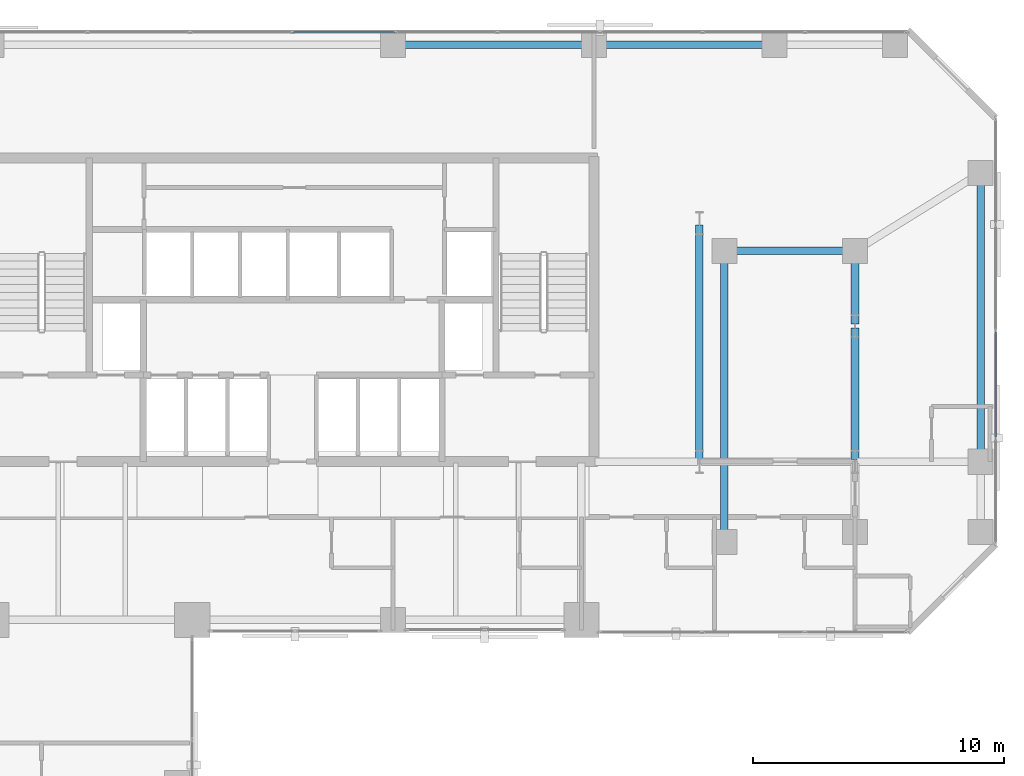
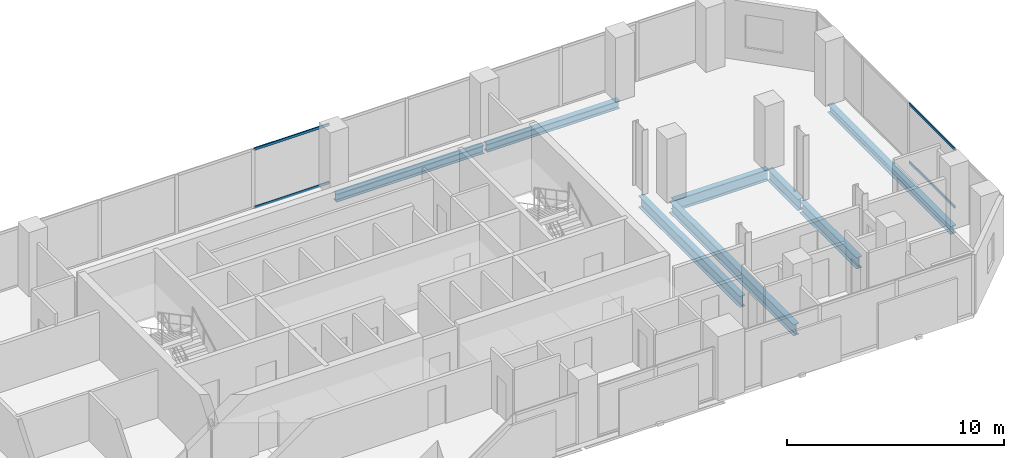
# One storey, part 22 of 32: 8 beams, 4 members, 2 elements without a shape of their own.
"""IFC4 building model written with IfcOpenShell, lengths in metres."""

from ifc_helpers import new_model, si_unit, direction, frame, origin, origin_2d, place, context, subcontext, project, spatial, hollow_rectangle, i_section, extrude, material, layer, layer_set, material_profile, profile_set, type_object, element, aggregate, save


model = new_model("IFC4")

# Units and contexts
model_context = context("Model", 3, precision=1e-05, world=origin(), true_north=direction((0.0, 1.0)))
body_context = subcontext(model_context, "Body", "Model", "MODEL_VIEW")
ifc_project = project(units=[si_unit("LENGTHUNIT", "METRE"), si_unit("AREAUNIT", "SQUARE_METRE"), si_unit("VOLUMEUNIT", "CUBIC_METRE"), si_unit("PLANEANGLEUNIT", "RADIAN"), si_unit("MASSUNIT", "GRAM", prefix="KILO")], contexts=[model_context])

# Site, building, storey
site_placement = place(None, origin())
site = spatial("IfcSite", under=ifc_project, at=site_placement, CompositionType="ELEMENT")
building_placement = place(site_placement, origin())
building = spatial("IfcBuilding", under=site, at=building_placement, Name="Catumbela Crestline Tower", CompositionType="ELEMENT")
storey_placement = place(building_placement, frame((0.0, 0.0, 29.4)))
storey = spatial("IfcBuildingStorey", under=building, at=storey_placement, Name="L06", CompositionType="ELEMENT", Elevation=29.4)

# Beams
ifc_material_1 = material(Name="Structural steel S355J2", Category="steel")
ifc_material_profile_1 = material_profile(ifc_material_1, i_section(OverallWidth=0.3, OverallDepth=0.64, WebThickness=0.0135, FlangeThickness=0.026, FilletRadius=0.027, at=origin_2d()), Name="HEA 650")
ifc_profile_set_1 = profile_set([ifc_material_profile_1], Name="Structural steel S355J2")
beam_type_1 = type_object("IfcBeamType", Name="BG-HEA650", PredefinedType="BEAM", material=ifc_profile_set_1)
beam_1_placement = place(storey_placement, frame((45.28, 39.2, -0.58), z_axis=(1.0, 0.0, 0.0), x_axis=(0.0, 1.0, 0.0)))
element("IfcBeam", 1, at=beam_1_placement, inside=storey, type_object=beam_type_1, Name="L06 Beam BM-L06-N17", PredefinedType="BEAM", context=body_context, shape_type="SweptSolid", body=[
    extrude(i_section(OverallWidth=0.3, OverallDepth=0.64, WebThickness=0.0135, FlangeThickness=0.026, FilletRadius=0.027, at=origin_2d()), origin(), (0.0, 0.0, 1.0), 5.04),
])
beam_2_placement = place(storey_placement, frame((44.2, 30.88, -0.58), z_axis=(0.0, 1.0, 0.0), x_axis=(-1.0, 0.0, 0.0)))
element("IfcBeam", 2, at=beam_2_placement, inside=storey, type_object=beam_type_1, Name="L06 Beam BM-L06-SN35", PredefinedType="BEAM", context=body_context, shape_type="SweptSolid", body=[
    extrude(i_section(OverallWidth=0.3, OverallDepth=0.64, WebThickness=0.0135, FlangeThickness=0.026, FilletRadius=0.027, at=origin_2d()), origin(), (0.0, 0.0, 1.0), 9.34),
])
beam_3_placement = place(storey_placement, frame((45.2, 27.68, -0.58), z_axis=(0.0, 1.0, 0.0), x_axis=(-1.0, 0.0, 0.0)))
element("IfcBeam", 3, at=beam_3_placement, inside=storey, type_object=beam_type_1, Name="L06 Beam BM-L06-SN36", PredefinedType="BEAM", context=body_context, shape_type="SweptSolid", body=[
    extrude(i_section(OverallWidth=0.3, OverallDepth=0.64, WebThickness=0.0135, FlangeThickness=0.026, FilletRadius=0.027, at=origin_2d()), origin(), (0.0, 0.0, 1.0), 11.44),
])
beam_4_placement = place(storey_placement, frame((50.4, 30.88, -0.58), z_axis=(0.0, 1.0, 0.0), x_axis=(-1.0, 0.0, 0.0)))
element("IfcBeam", 4, at=beam_4_placement, inside=storey, type_object=beam_type_1, Name="L06 Beam BM-L06-SN38", PredefinedType="BEAM", context=body_context, shape_type="SweptSolid", body=[
    extrude(i_section(OverallWidth=0.3, OverallDepth=0.64, WebThickness=0.0135, FlangeThickness=0.026, FilletRadius=0.027, at=origin_2d()), origin(), (0.0, 0.0, 1.0), 5.24),
])
beam_5_placement = place(storey_placement, frame((50.4, 36.28, -0.58), z_axis=(0.0, 1.0, 0.0), x_axis=(-1.0, 0.0, 0.0)))
element("IfcBeam", 5, at=beam_5_placement, inside=storey, type_object=beam_type_1, Name="L06 Beam BM-L06-SN39", PredefinedType="BEAM", context=body_context, shape_type="SweptSolid", body=[
    extrude(i_section(OverallWidth=0.3, OverallDepth=0.64, WebThickness=0.0135, FlangeThickness=0.026, FilletRadius=0.027, at=origin_2d()), origin(), (0.0, 0.0, 1.0), 2.84),
])
ifc_material_profile_2 = material_profile(ifc_material_1, i_section(OverallWidth=0.3, OverallDepth=0.45, WebThickness=0.014, FlangeThickness=0.026, FilletRadius=0.027, at=origin_2d()), Name="HEB 450")
ifc_profile_set_2 = profile_set([ifc_material_profile_2], Name="Structural steel S355J2")
beam_type_2 = type_object("IfcBeamType", Name="BS-HEB450", PredefinedType="SPANDREL", material=ifc_profile_set_2)
beam_6_placement = place(storey_placement, frame((32.08, 47.4, -0.485), z_axis=(1.0, 0.0, 0.0), x_axis=(0.0, 1.0, 0.0)))
element("IfcBeam", 6, at=beam_6_placement, inside=storey, type_object=beam_type_2, Name="L06 Spandrel SP-L06-NF22", PredefinedType="SPANDREL", context=body_context, shape_type="SweptSolid", body=[
    extrude(i_section(OverallWidth=0.3, OverallDepth=0.45, WebThickness=0.014, FlangeThickness=0.026, FilletRadius=0.027, at=origin_2d()), origin(), (0.0, 0.0, 1.0), 7.84),
])
beam_7_placement = place(storey_placement, frame((40.08, 47.4, -0.485), z_axis=(1.0, 0.0, 0.0), x_axis=(0.0, 1.0, 0.0)))
element("IfcBeam", 7, at=beam_7_placement, inside=storey, type_object=beam_type_2, Name="L06 Spandrel SP-L06-NF23", PredefinedType="SPANDREL", context=body_context, shape_type="SweptSolid", body=[
    extrude(i_section(OverallWidth=0.3, OverallDepth=0.45, WebThickness=0.014, FlangeThickness=0.026, FilletRadius=0.027, at=origin_2d()), origin(), (0.0, 0.0, 1.0), 7.04),
])
beam_8_placement = place(storey_placement, frame((55.4, 30.88, -0.485), z_axis=(0.0, 1.0, 0.0), x_axis=(-1.0, 0.0, 0.0)))
element("IfcBeam", 8, at=beam_8_placement, inside=storey, type_object=beam_type_2, Name="L06 Spandrel SP-L06-SN41", PredefinedType="SPANDREL", context=body_context, shape_type="SweptSolid", body=[
    extrude(i_section(OverallWidth=0.3, OverallDepth=0.45, WebThickness=0.014, FlangeThickness=0.026, FilletRadius=0.027, at=origin_2d()), origin(), (0.0, 0.0, 1.0), 11.34),
])

# Curtain wall, members
ifc_material_2 = material(Name="Aluminium alloy AW-6060-T66", Category="aluminium")
ifc_layer = layer(ifc_material_2, 0.18, Name="Aluminium alloy AW-6060-T66")
ifc_layer_set = layer_set([ifc_layer], Name="Aluminium alloy AW-6060-T66")
curtain_wall_type = type_object("IfcCurtainWallType", Name="CWU-Z1", PredefinedType="USERDEFINED", material=ifc_layer_set)
curtain_wall_1_placement = place(storey_placement, origin())
curtain_wall_1 = element("IfcCurtainWall", 9, at=curtain_wall_1_placement, inside=storey, type_object=curtain_wall_type, Name="L06 Unitised Curtain Wall CW-L06-E5S1", ObjectType="UNITISED", PredefinedType="USERDEFINED")
ifc_material_profile_3 = material_profile(ifc_material_2, hollow_rectangle(XDim=0.06, YDim=0.14, WallThickness=0.004, at=origin_2d()), Name="ALU 140x60x4")
ifc_profile_set_3 = profile_set([ifc_material_profile_3], Name="Aluminium alloy AW-6060-T66")
member_type = type_object("IfcMemberType", Name="TRN-140X60", PredefinedType="USERDEFINED", material=ifc_profile_set_3)
member_1_placement = place(storey_placement, frame((56.0, 31.7825, 0.03), z_axis=(0.0, 1.0, 0.0), x_axis=(-1.0, 0.0, 0.0)))
member_1 = element("IfcMember", 10, at=member_1_placement, type_object=member_type, Name="CWU-Z1 transom 2.1", ObjectType="TRANSOM", PredefinedType="USERDEFINED", context=body_context, shape_type="SweptSolid", body=[
    extrude(hollow_rectangle(XDim=0.06, YDim=0.14, WallThickness=0.004, at=origin_2d()), origin(), (0.0, 0.0, 1.0), 4.185),
])
member_2_placement = place(storey_placement, frame((56.0, 31.7825, 3.3), z_axis=(0.0, 1.0, 0.0), x_axis=(-1.0, 0.0, 0.0)))
member_2 = element("IfcMember", 11, at=member_2_placement, type_object=member_type, Name="CWU-Z1 transom 2.2", ObjectType="TRANSOM", PredefinedType="USERDEFINED", context=body_context, shape_type="SweptSolid", body=[
    extrude(hollow_rectangle(XDim=0.06, YDim=0.14, WallThickness=0.004, at=origin_2d()), origin(), (0.0, 0.0, 1.0), 4.185),
])
aggregate(curtain_wall_1, [member_1, member_2])

curtain_wall_2_placement = place(storey_placement, origin())
curtain_wall_2 = element("IfcCurtainWall", 12, at=curtain_wall_2_placement, inside=storey, type_object=curtain_wall_type, Name="L06 Unitised Curtain Wall CW-L06-E7S1", ObjectType="UNITISED", PredefinedType="USERDEFINED")
member_3_placement = place(storey_placement, frame((32.0508, 47.9, 0.03), z_axis=(-1.0, 0.0, 0.0), x_axis=(0.0, -1.0, 0.0)))
member_3 = element("IfcMember", 13, at=member_3_placement, type_object=member_type, Name="CWU-Z1 transom 6.1", ObjectType="TRANSOM", PredefinedType="USERDEFINED", context=body_context, shape_type="SweptSolid", body=[
    extrude(hollow_rectangle(XDim=0.06, YDim=0.14, WallThickness=0.004, at=origin_2d()), origin(), (0.0, 0.0, 1.0), 4.0183),
])
member_4_placement = place(storey_placement, frame((32.0508, 47.9, 3.3), z_axis=(-1.0, 0.0, 0.0), x_axis=(0.0, -1.0, 0.0)))
member_4 = element("IfcMember", 14, at=member_4_placement, type_object=member_type, Name="CWU-Z1 transom 6.2", ObjectType="TRANSOM", PredefinedType="USERDEFINED", context=body_context, shape_type="SweptSolid", body=[
    extrude(hollow_rectangle(XDim=0.06, YDim=0.14, WallThickness=0.004, at=origin_2d()), origin(), (0.0, 0.0, 1.0), 4.0183),
])
aggregate(curtain_wall_2, [member_3, member_4])

save(model, "model.ifc")
